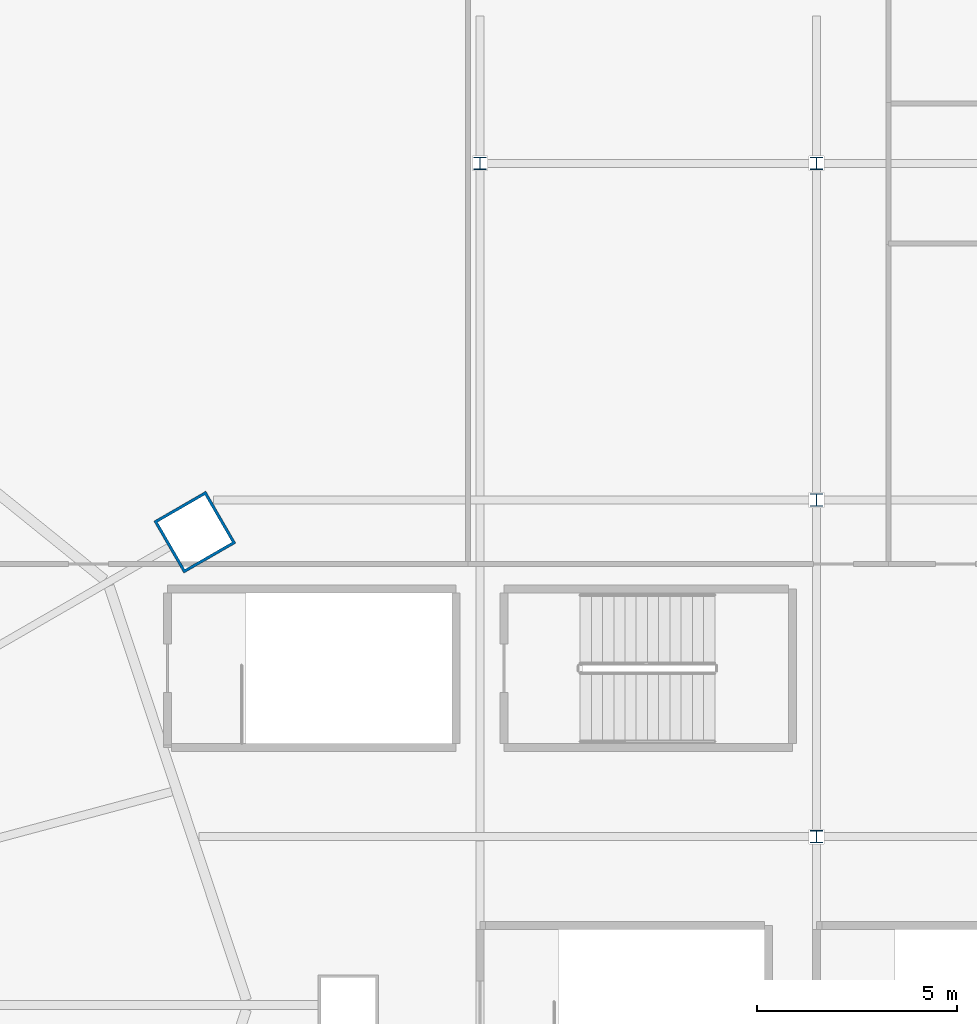
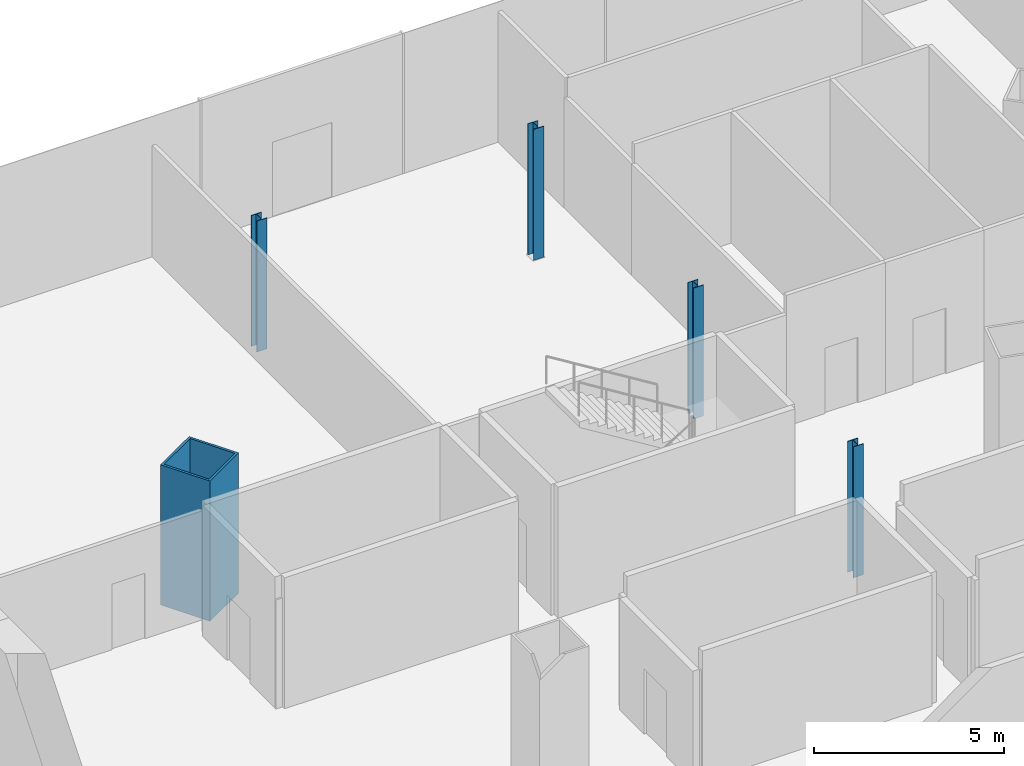
# One storey, part 4 of 49: 5 columns.
"""IFC4 building model written with IfcOpenShell, lengths in metres."""

from ifc_helpers import new_model, si_unit, direction, frame, origin, origin_2d, place, context, subcontext, project, spatial, hollow_rectangle, i_section, extrude, material, material_profile, profile_set, type_object, element, save


model = new_model("IFC4")

# Units and contexts
model_context = context("Model", 3, precision=1e-05, world=origin(), true_north=direction((0.0, 1.0)))
body_context = subcontext(model_context, "Body", "Model", "MODEL_VIEW")
ifc_project = project(units=[si_unit("LENGTHUNIT", "METRE"), si_unit("AREAUNIT", "SQUARE_METRE"), si_unit("VOLUMEUNIT", "CUBIC_METRE"), si_unit("PLANEANGLEUNIT", "RADIAN"), si_unit("MASSUNIT", "GRAM", prefix="KILO")], contexts=[model_context])

# Site, building, storey
site_placement = place(None, origin())
site = spatial("IfcSite", under=ifc_project, at=site_placement, CompositionType="ELEMENT")
building_placement = place(site_placement, origin())
building = spatial("IfcBuilding", under=site, at=building_placement, Name="Rimbun Link Towers", CompositionType="ELEMENT")
storey_placement = place(building_placement, frame((0.0, 0.0, 25.5)))
storey = spatial("IfcBuildingStorey", under=building, at=storey_placement, Name="L05", CompositionType="ELEMENT", Elevation=25.5)

# Columns
ifc_material_1 = material(Name="Steel S460N", Category="steel")
ifc_material_profile_1 = material_profile(ifc_material_1, hollow_rectangle(XDim=1.5, YDim=1.5, WallThickness=0.070068359375, at=origin_2d()), Name="BOX 1500x1500x70")
ifc_profile_set_1 = profile_set([ifc_material_profile_1], Name="Steel S460N")
column_type_1 = type_object("IfcColumnType", Name="BOX 1500x1500x70", PredefinedType="COLUMN", material=ifc_profile_set_1)
column_placement = place(storey_placement, frame((-11.316650390625, 11.797119140625, 0.0), z_axis=(0.0, 0.0, 1.0), x_axis=(0.866025403784, 0.5, 0.0)))
element("IfcColumn", 1, at=column_placement, inside=storey, type_object=column_type_1, Name="Mega column T1 L05 02", PredefinedType="COLUMN", context=body_context, shape_type="SweptSolid", body=[
    extrude(hollow_rectangle(XDim=1.5, YDim=1.5, WallThickness=0.070068359375, at=origin_2d()), origin(), (0.0, 0.0, 1.0), 4.5),
])
ifc_material_2 = material(Name="Steel S355J2", Category="steel")
ifc_material_profile_2 = material_profile(ifc_material_2, i_section(OverallWidth=0.307373046875, OverallDepth=0.314453125, WebThickness=0.011962890625, FlangeThickness=0.018798828125, at=origin_2d()), Name="UC 305x305x118")
ifc_profile_set_2 = profile_set([ifc_material_profile_2], Name="Steel S355J2")
column_type_2 = type_object("IfcColumnType", Name="UC 305x305x118", PredefinedType="COLUMN", material=ifc_profile_set_2)
for number, where, z_axis, x_axis, name in (
    (2, (-4.199951171875, 21.0, 0.0), (0.0, 0.0, 1.0), (1.0, 0.0, 0.0), "Column L05 -4.2 +21.0"),
    (3, (4.199951171875, 4.199951171875, 0.0), (0.0, 0.0, 1.0), (1.0, 0.0, 0.0), "Column L05 +4.2 +4.2"),
    (4, (4.199951171875, 12.60009765625, 0.0), (0.0, 0.0, 1.0), (1.0, 0.0, 0.0), "Column L05 +4.2 +12.6"),
    (5, (4.199951171875, 21.0, 0.0), (0.0, 0.0, 1.0), (1.0, 0.0, 0.0), "Column L05 +4.2 +21.0"),
):
    element("IfcColumn", number, at=place(storey_placement, frame(where, z_axis=z_axis, x_axis=x_axis)), inside=storey, type_object=column_type_2, Name=name, PredefinedType="COLUMN", context=body_context, shape_type="SweptSolid", body=[
        extrude(i_section(OverallWidth=0.307373046875, OverallDepth=0.314453125, WebThickness=0.011962890625, FlangeThickness=0.018798828125, at=origin_2d()), origin(), (0.0, 0.0, 1.0), 4.199951171875),
    ])

save(model, "model.ifc")
